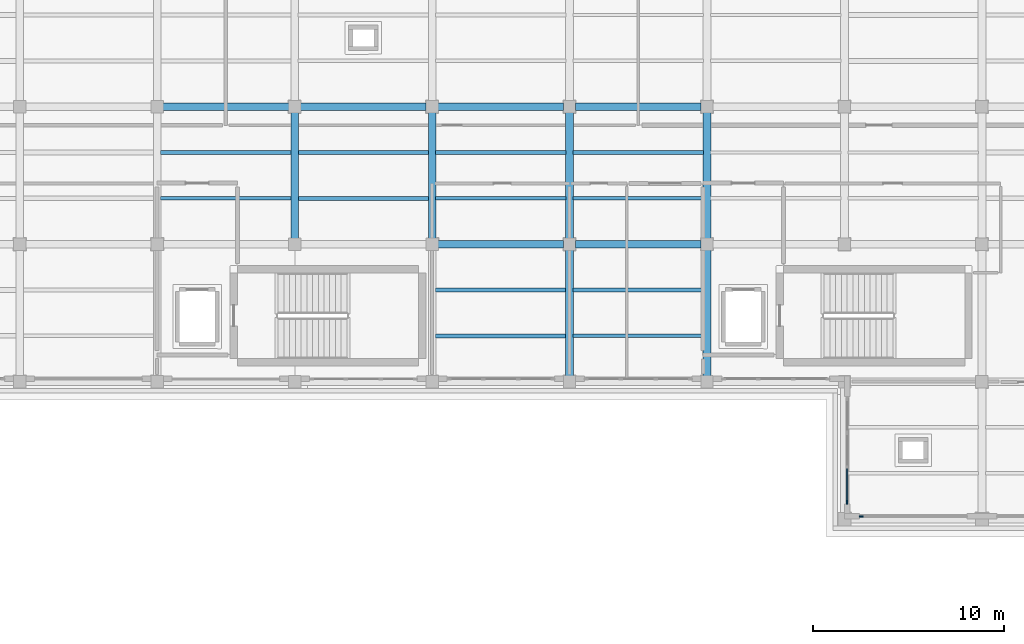
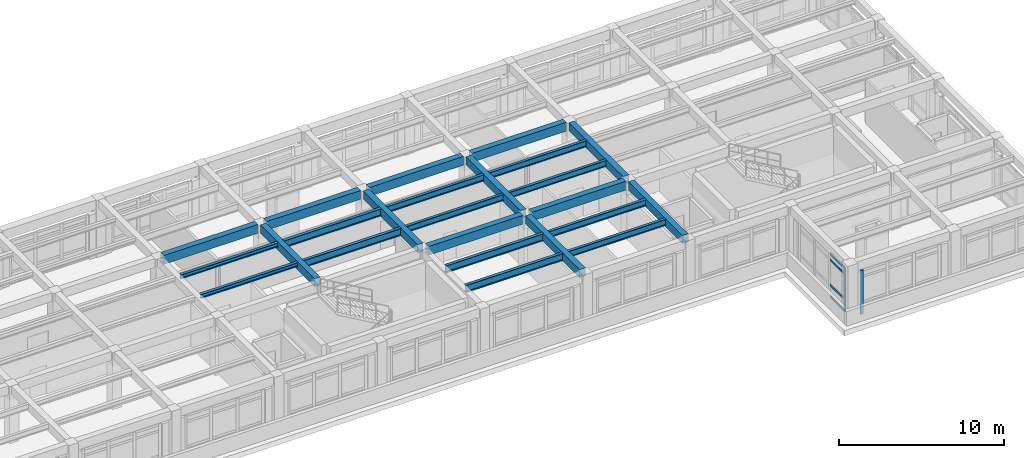
# One storey, part 26 of 55: 24 beams, 6 members, 2 elements without a shape of their own.
"""IFC4 building model written with IfcOpenShell, lengths in metres."""

from ifc_helpers import new_model, si_unit, direction, frame, origin, origin_2d, place, context, subcontext, project, spatial, rectangle, i_section, extrude, material, layer, layer_set, material_profile, profile_set, type_object, element, aggregate, save


model = new_model("IFC4")

# Units and contexts
model_context = context("Model", 3, precision=1e-05, world=origin(), true_north=direction((0.0, 1.0)))
body_context = subcontext(model_context, "Body", "Model", "MODEL_VIEW")
ifc_project = project(units=[si_unit("LENGTHUNIT", "METRE"), si_unit("AREAUNIT", "SQUARE_METRE"), si_unit("VOLUMEUNIT", "CUBIC_METRE"), si_unit("PLANEANGLEUNIT", "RADIAN"), si_unit("MASSUNIT", "GRAM", prefix="KILO")], contexts=[model_context])

# Site, building, storey
site_placement = place(None, origin())
site = spatial("IfcSite", under=ifc_project, at=site_placement, CompositionType="ELEMENT")
building_placement = place(site_placement, origin())
building = spatial("IfcBuilding", under=site, at=building_placement, Name="Solenvale Faculty of Natural Sciences", CompositionType="ELEMENT")
storey_placement = place(building_placement, frame((0.0, 0.0, 22.5)))
storey = spatial("IfcBuildingStorey", under=building, at=storey_placement, Name="L05", CompositionType="ELEMENT", Elevation=22.5)

# Beams
ifc_material_1 = material(Name="Concrete 40 MPa", Category="concrete")
ifc_material_profile_1 = material_profile(ifc_material_1, rectangle(XDim=0.39990234375, YDim=0.60009765625, at=origin_2d()), Name="RC-BM-400x600")
ifc_profile_set_1 = profile_set([ifc_material_profile_1], Name="Concrete 40 MPa")
beam_type_1 = type_object("IfcBeamType", Name="BM-RC-400x600", PredefinedType="BEAM", material=ifc_profile_set_1)
for number, where, z_axis, x_axis, name in (
    (1, (108.0, 101.10498046875, 3.919921875), (0.0, 1.0, 0.0), (-1.0, 0.0, 0.0), "L05 Y-Girder X108.0 (100.8..108.0)"),
    (2, (115.199951171875, 101.10498046875, 3.919921875), (0.0, 1.0, 0.0), (-1.0, 0.0, 0.0), "L05 Y-Girder X115.2 (100.8..108.0)"),
    (3, (122.39990234375, 93.905029296875, 3.919921875), (0.0, 1.0, 0.0), (-1.0, 0.0, 0.0), "L05 Y-Girder X122.4 (93.6..100.8)"),
    (4, (122.39990234375, 101.10498046875, 3.919921875), (0.0, 1.0, 0.0), (-1.0, 0.0, 0.0), "L05 Y-Girder X122.4 (100.8..108.0)"),
    (5, (129.60009765625, 93.905029296875, 3.919921875), (0.0, 1.0, 0.0), (-1.0, 0.0, 0.0), "L05 Y-Girder X129.6 (93.6..100.8)"),
    (6, (129.60009765625, 101.10498046875, 3.919921875), (0.0, 1.0, 0.0), (-1.0, 0.0, 0.0), "L05 Y-Girder X129.6 (100.8..108.0)"),
):
    element("IfcBeam", number, at=place(storey_placement, frame(where, z_axis=z_axis, x_axis=x_axis)), inside=storey, type_object=beam_type_1, Name=name, PredefinedType="BEAM", context=body_context, shape_type="SweptSolid", body=[
        extrude(rectangle(XDim=0.39990234375, YDim=0.60009765625, at=origin_2d()), origin(), (0.0, 0.0, 1.0), 6.590087890625),
    ])
ifc_material_profile_2 = material_profile(ifc_material_1, rectangle(XDim=0.39990234375, YDim=0.64990234375, at=origin_2d()), Name="RC-BM-400x650")
ifc_profile_set_2 = profile_set([ifc_material_profile_2], Name="Concrete 40 MPa")
beam_type_2 = type_object("IfcBeamType", Name="BM-RC-400x650", PredefinedType="BEAM", material=ifc_profile_set_2)
beam_1_placement = place(storey_placement, frame((115.5048828125, 100.800048828125, 3.89501953125), z_axis=(1.0, 0.0, 0.0), x_axis=(0.0, 1.0, 0.0)))
element("IfcBeam", 7, at=beam_1_placement, inside=storey, type_object=beam_type_2, Name="L05 X-Girder Y100.8 (115.2..122.4)", PredefinedType="BEAM", context=body_context, shape_type="SweptSolid", body=[
    extrude(rectangle(XDim=0.39990234375, YDim=0.64990234375, at=origin_2d()), origin(), (0.0, 0.0, 1.0), 6.590087890625),
])
beam_2_placement = place(storey_placement, frame((122.705078125, 100.800048828125, 3.89501953125), z_axis=(1.0, 0.0, 0.0), x_axis=(0.0, 1.0, 0.0)))
element("IfcBeam", 8, at=beam_2_placement, inside=storey, type_object=beam_type_2, Name="L05 X-Girder Y100.8 (122.4..129.6)", PredefinedType="BEAM", context=body_context, shape_type="SweptSolid", body=[
    extrude(rectangle(XDim=0.39990234375, YDim=0.64990234375, at=origin_2d()), origin(), (0.0, 0.0, 1.0), 6.58984375),
])
for number, where, z_axis, x_axis, name in (
    (9, (101.10498046875, 108.0, 3.89501953125), (1.0, 0.0, 0.0), (0.0, 1.0, 0.0), "L05 X-Girder Y108.0 (100.8..108.0)"),
    (10, (108.304931640625, 108.0, 3.89501953125), (1.0, 0.0, 0.0), (0.0, 1.0, 0.0), "L05 X-Girder Y108.0 (108.0..115.2)"),
    (11, (115.5048828125, 108.0, 3.89501953125), (1.0, 0.0, 0.0), (0.0, 1.0, 0.0), "L05 X-Girder Y108.0 (115.2..122.4)"),
):
    element("IfcBeam", number, at=place(storey_placement, frame(where, z_axis=z_axis, x_axis=x_axis)), inside=storey, type_object=beam_type_2, Name=name, PredefinedType="BEAM", context=body_context, shape_type="SweptSolid", body=[
        extrude(rectangle(XDim=0.39990234375, YDim=0.64990234375, at=origin_2d()), origin(), (0.0, 0.0, 1.0), 6.590087890625),
    ])
beam_3_placement = place(storey_placement, frame((122.705078125, 108.0, 3.89501953125), z_axis=(1.0, 0.0, 0.0), x_axis=(0.0, 1.0, 0.0)))
element("IfcBeam", 12, at=beam_3_placement, inside=storey, type_object=beam_type_2, Name="L05 X-Girder Y108.0 (122.4..129.6)", PredefinedType="BEAM", context=body_context, shape_type="SweptSolid", body=[
    extrude(rectangle(XDim=0.39990234375, YDim=0.64990234375, at=origin_2d()), origin(), (0.0, 0.0, 1.0), 6.58984375),
])
ifc_material_2 = material(Name="Steel S355", Category="steel")
ifc_material_profile_3 = material_profile(ifc_material_2, i_section(OverallWidth=0.202880859375, OverallDepth=0.302978515625, WebThickness=0.007568359375, FlangeThickness=0.01318359375, FilletRadius=0.014892578125, at=origin_2d()), Name="W310x60")
ifc_profile_set_3 = profile_set([ifc_material_profile_3], Name="Steel S355")
beam_type_3 = type_object("IfcBeamType", Name="BM-STL-W310x60", PredefinedType="JOIST", material=ifc_profile_set_3)
for number, where, z_axis, x_axis, name in (
    (13, (100.97998046875, 103.199951171875, 4.068603515625), (1.0, 0.0, 0.0), (0.0, 1.0, 0.0), "L05 Composite Floor Joist (15,15).1"),
    (14, (100.97998046875, 105.60009765625, 4.068603515625), (1.0, 0.0, 0.0), (0.0, 1.0, 0.0), "L05 Composite Floor Joist (15,15).2"),
):
    element("IfcBeam", number, at=place(storey_placement, frame(where, z_axis=z_axis, x_axis=x_axis)), inside=storey, type_object=beam_type_3, Name=name, PredefinedType="JOIST", context=body_context, shape_type="SweptSolid", body=[
        extrude(i_section(OverallWidth=0.202880859375, OverallDepth=0.302978515625, WebThickness=0.007568359375, FlangeThickness=0.01318359375, FilletRadius=0.014892578125, at=origin_2d()), origin(), (0.0, 0.0, 1.0), 6.840087890625),
    ])
ifc_material_profile_4 = material_profile(ifc_material_2, i_section(OverallWidth=0.194091796875, OverallDepth=0.468994140625, WebThickness=0.0126953125, FlangeThickness=0.0205078125, FilletRadius=0.01806640625, at=origin_2d()), Name="W460x106")
ifc_profile_set_4 = profile_set([ifc_material_profile_4], Name="Steel S355")
beam_type_4 = type_object("IfcBeamType", Name="BM-STL-W460x106", PredefinedType="JOIST", material=ifc_profile_set_4)
for number, where, z_axis, x_axis, name in (
    (15, (115.3798828125, 103.199951171875, 3.985595703125), (1.0, 0.0, 0.0), (0.0, 1.0, 0.0), "L05 Composite Floor Joist (17,15).1"),
    (16, (115.3798828125, 105.60009765625, 3.985595703125), (1.0, 0.0, 0.0), (0.0, 1.0, 0.0), "L05 Composite Floor Joist (17,15).2"),
):
    element("IfcBeam", number, at=place(storey_placement, frame(where, z_axis=z_axis, x_axis=x_axis)), inside=storey, type_object=beam_type_4, Name=name, PredefinedType="JOIST", context=body_context, shape_type="SweptSolid", body=[
        extrude(i_section(OverallWidth=0.194091796875, OverallDepth=0.468994140625, WebThickness=0.0126953125, FlangeThickness=0.0205078125, FilletRadius=0.01806640625, at=origin_2d()), origin(), (0.0, 0.0, 1.0), 6.840087890625),
    ])
for number, where, z_axis, x_axis, name in (
    (17, (122.580078125, 96.0, 3.985595703125), (1.0, 0.0, 0.0), (0.0, 1.0, 0.0), "L05 Composite Floor Joist (18,14).1"),
    (18, (122.580078125, 98.39990234375, 3.985595703125), (1.0, 0.0, 0.0), (0.0, 1.0, 0.0), "L05 Composite Floor Joist (18,14).2"),
):
    element("IfcBeam", number, at=place(storey_placement, frame(where, z_axis=z_axis, x_axis=x_axis)), inside=storey, type_object=beam_type_4, Name=name, PredefinedType="JOIST", context=body_context, shape_type="SweptSolid", body=[
        extrude(i_section(OverallWidth=0.194091796875, OverallDepth=0.468994140625, WebThickness=0.0126953125, FlangeThickness=0.0205078125, FilletRadius=0.01806640625, at=origin_2d()), origin(), (0.0, 0.0, 1.0), 6.83984375),
    ])
ifc_material_profile_5 = material_profile(ifc_material_2, i_section(OverallWidth=0.19091796875, OverallDepth=0.4599609375, WebThickness=0.010009765625, FlangeThickness=0.01611328125, FilletRadius=0.01806640625, at=origin_2d()), Name="W460x82")
ifc_profile_set_5 = profile_set([ifc_material_profile_5], Name="Steel S355")
beam_type_5 = type_object("IfcBeamType", Name="BM-STL-W460x82", PredefinedType="JOIST", material=ifc_profile_set_5)
for number, where, z_axis, x_axis, name in (
    (19, (122.580078125, 103.199951171875, 3.989990234375), (1.0, 0.0, 0.0), (0.0, 1.0, 0.0), "L05 Composite Floor Joist (18,15).1"),
    (20, (122.580078125, 105.60009765625, 3.989990234375), (1.0, 0.0, 0.0), (0.0, 1.0, 0.0), "L05 Composite Floor Joist (18,15).2"),
):
    element("IfcBeam", number, at=place(storey_placement, frame(where, z_axis=z_axis, x_axis=x_axis)), inside=storey, type_object=beam_type_5, Name=name, PredefinedType="JOIST", context=body_context, shape_type="SweptSolid", body=[
        extrude(i_section(OverallWidth=0.19091796875, OverallDepth=0.4599609375, WebThickness=0.010009765625, FlangeThickness=0.01611328125, FilletRadius=0.01806640625, at=origin_2d()), origin(), (0.0, 0.0, 1.0), 6.83984375),
    ])
ifc_material_profile_6 = material_profile(ifc_material_2, i_section(OverallWidth=0.208984375, OverallDepth=0.532958984375, WebThickness=0.01025390625, FlangeThickness=0.015625, FilletRadius=0.01904296875, at=origin_2d()), Name="W530x92")
ifc_profile_set_6 = profile_set([ifc_material_profile_6], Name="Steel S355")
beam_type_6 = type_object("IfcBeamType", Name="BM-STL-W530x92", PredefinedType="JOIST", material=ifc_profile_set_6)
for number, where, z_axis, x_axis, name in (
    (21, (108.179931640625, 103.199951171875, 3.95361328125), (1.0, 0.0, 0.0), (0.0, 1.0, 0.0), "L05 Composite Floor Joist (16,15).1"),
    (22, (108.179931640625, 105.60009765625, 3.95361328125), (1.0, 0.0, 0.0), (0.0, 1.0, 0.0), "L05 Composite Floor Joist (16,15).2"),
    (23, (115.3798828125, 96.0, 3.95361328125), (1.0, 0.0, 0.0), (0.0, 1.0, 0.0), "L05 Composite Floor Joist (17,14).1"),
    (24, (115.3798828125, 98.39990234375, 3.95361328125), (1.0, 0.0, 0.0), (0.0, 1.0, 0.0), "L05 Composite Floor Joist (17,14).2"),
):
    element("IfcBeam", number, at=place(storey_placement, frame(where, z_axis=z_axis, x_axis=x_axis)), inside=storey, type_object=beam_type_6, Name=name, PredefinedType="JOIST", context=body_context, shape_type="SweptSolid", body=[
        extrude(i_section(OverallWidth=0.208984375, OverallDepth=0.532958984375, WebThickness=0.01025390625, FlangeThickness=0.015625, FilletRadius=0.01904296875, at=origin_2d()), origin(), (0.0, 0.0, 1.0), 6.840087890625),
    ])

# Curtain wall, member
ifc_material_3 = material(Name="Anodised bronze aluminium", Category="aluminium")
ifc_layer = layer(ifc_material_3, 0.179931640625)
ifc_layer_set = layer_set([ifc_layer], Name="Anodised bronze aluminium")
curtain_wall_type = type_object("IfcCurtainWallType", Name="CW-TWR-MOD", PredefinedType="USERDEFINED", material=ifc_layer_set)
curtain_wall_1_placement = place(storey_placement, origin())
curtain_wall_1 = element("IfcCurtainWall", 25, at=curtain_wall_1_placement, inside=storey, type_object=curtain_wall_type, Name="L05 Curtain Wall CW-L05-P2-E6-B1", ObjectType="UNITISED CURTAIN WALL", PredefinedType="USERDEFINED")
ifc_material_profile_7 = material_profile(ifc_material_3, rectangle(XDim=0.074951171875, YDim=0.2099609375, at=origin_2d()), Name="ALU-MUL-75x210")
ifc_profile_set_7 = profile_set([ifc_material_profile_7], Name="Anodised bronze aluminium")
member_type_1 = type_object("IfcMemberType", Name="CWM-ALU-75x210", PredefinedType="MULLION", material=ifc_profile_set_7)
member_1_placement = place(storey_placement, frame((136.9423828125, 87.28759765625, 0.0), z_axis=(0.0, 0.0, 1.0), x_axis=(1.0, 0.0, 0.0)))
member_1 = element("IfcMember", 26, at=member_1_placement, type_object=member_type_1, Name="CW-04 mullion 4", PredefinedType="MULLION", context=body_context, shape_type="SweptSolid", body=[
    extrude(rectangle(XDim=0.074951171875, YDim=0.2099609375, at=origin_2d()), origin(), (0.0, 0.0, 1.0), 3.260009765625),
])

curtain_wall_2_placement = place(storey_placement, origin())
curtain_wall_2 = element("IfcCurtainWall", 27, at=curtain_wall_2_placement, inside=storey, type_object=curtain_wall_type, Name="L05 Curtain Wall CW-L05-P2-E7-B1", ObjectType="UNITISED CURTAIN WALL", PredefinedType="USERDEFINED")
member_2_placement = place(storey_placement, frame((137.6875, 86.54248046875, 0.0), z_axis=(0.0, 0.0, 1.0), x_axis=(0.0, 1.0, 0.0)))
member_2 = element("IfcMember", 28, at=member_2_placement, type_object=member_type_1, Name="CW-04 mullion 1", PredefinedType="MULLION", context=body_context, shape_type="SweptSolid", body=[
    extrude(rectangle(XDim=0.074951171875, YDim=0.2099609375, at=origin_2d()), origin(), (0.0, 0.0, 1.0), 3.260009765625),
])
aggregate(curtain_wall_2, [member_2])

# Member
ifc_material_profile_8 = material_profile(ifc_material_3, rectangle(XDim=0.074951171875, YDim=0.155029296875, at=origin_2d()), Name="ALU-TRN-75x155")
ifc_profile_set_8 = profile_set([ifc_material_profile_8], Name="Anodised bronze aluminium")
member_type_2 = type_object("IfcMemberType", Name="CWT-ALU-75x155", PredefinedType="USERDEFINED", material=ifc_profile_set_8)
member_3_placement = place(storey_placement, frame((136.9423828125, 89.0458984375, 0.03759765625), z_axis=(0.0, -1.0, 0.0), x_axis=(1.0, 0.0, 0.0)))
member_3 = element("IfcMember", 29, at=member_3_placement, type_object=member_type_2, Name="CW-04 transom 3.1", ObjectType="TRANSOM", PredefinedType="USERDEFINED", context=body_context, shape_type="SweptSolid", body=[
    extrude(rectangle(XDim=0.074951171875, YDim=0.155029296875, at=origin_2d()), origin(), (0.0, 0.0, 1.0), 1.720947265625),
])

member_4_placement = place(storey_placement, frame((136.9423828125, 89.0458984375, 0.89990234375), z_axis=(0.0, -1.0, 0.0), x_axis=(1.0, 0.0, 0.0)))
member_4 = element("IfcMember", 30, at=member_4_placement, type_object=member_type_2, Name="CW-04 transom 3.2", ObjectType="TRANSOM", PredefinedType="USERDEFINED", context=body_context, shape_type="SweptSolid", body=[
    extrude(rectangle(XDim=0.074951171875, YDim=0.155029296875, at=origin_2d()), origin(), (0.0, 0.0, 1.0), 1.720947265625),
])

member_5_placement = place(storey_placement, frame((136.9423828125, 89.0458984375, 2.760009765625), z_axis=(0.0, -1.0, 0.0), x_axis=(1.0, 0.0, 0.0)))
member_5 = element("IfcMember", 31, at=member_5_placement, type_object=member_type_2, Name="CW-04 transom 3.3", ObjectType="TRANSOM", PredefinedType="USERDEFINED", context=body_context, shape_type="SweptSolid", body=[
    extrude(rectangle(XDim=0.074951171875, YDim=0.155029296875, at=origin_2d()), origin(), (0.0, 0.0, 1.0), 1.720947265625),
])

member_6_placement = place(storey_placement, frame((136.9423828125, 89.0458984375, 3.222412109375), z_axis=(0.0, -1.0, 0.0), x_axis=(1.0, 0.0, 0.0)))
member_6 = element("IfcMember", 32, at=member_6_placement, type_object=member_type_2, Name="CW-04 transom 3.4", ObjectType="TRANSOM", PredefinedType="USERDEFINED", context=body_context, shape_type="SweptSolid", body=[
    extrude(rectangle(XDim=0.074951171875, YDim=0.155029296875, at=origin_2d()), origin(), (0.0, 0.0, 1.0), 1.720947265625),
])

aggregate(curtain_wall_1, [member_1, member_3, member_4, member_5, member_6])

save(model, "model.ifc")
